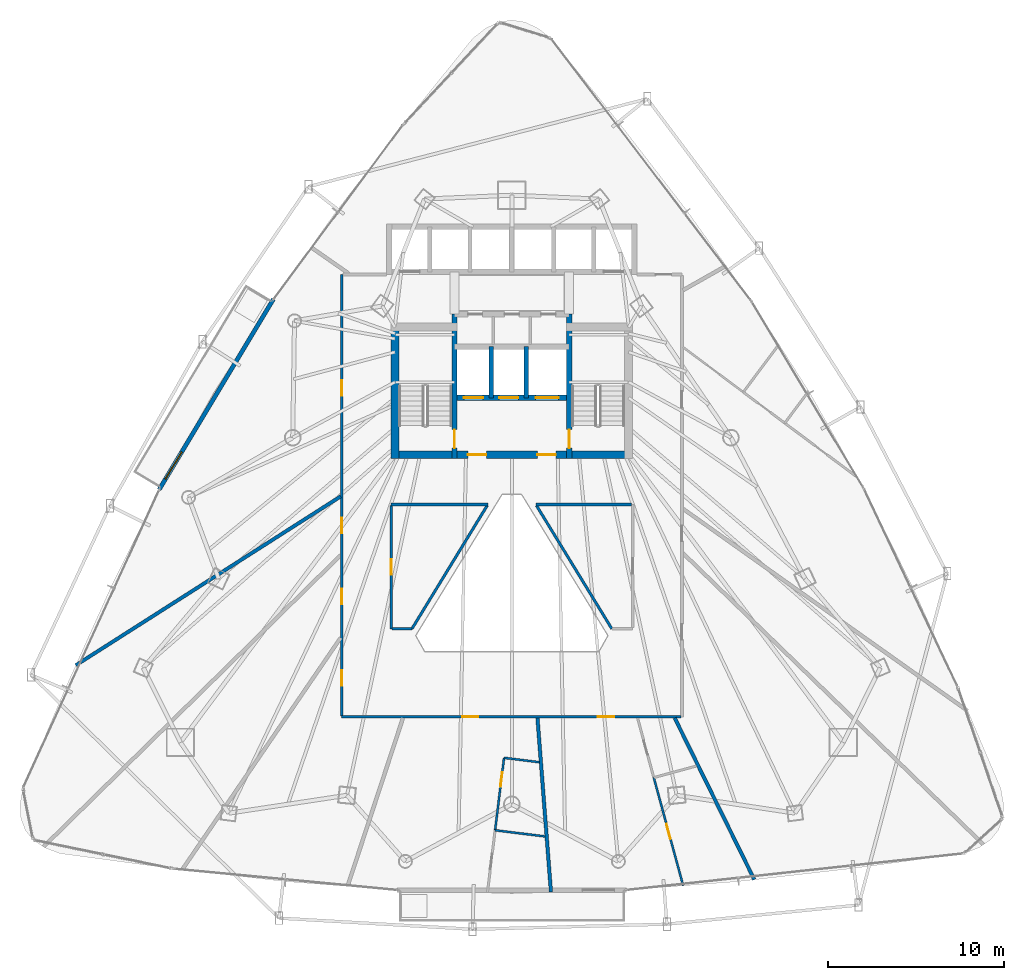
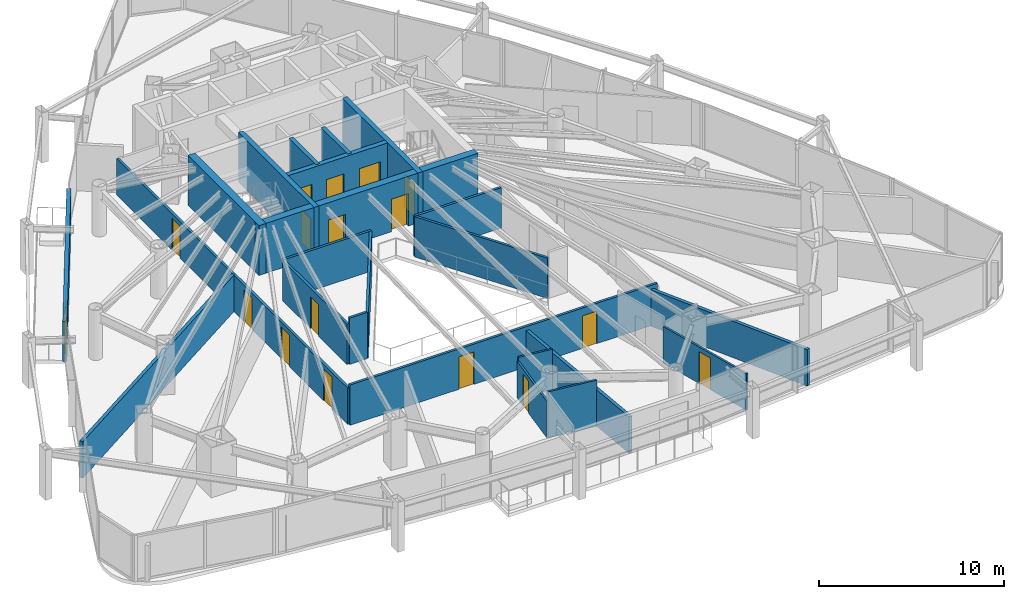
# One storey, part 29 of 34: 23 walls, 17 doors, 17 openings.
"""IFC4 building model written with IfcOpenShell, lengths in metres."""

from ifc_helpers import new_model, si_unit, direction, frame, frame_2d, origin, place, context, subcontext, project, spatial, rectangle, extrude, material, layer, layer_set, type_object, element, fill, save


model = new_model("IFC4")

# Units and contexts
model_context = context("Model", 3, precision=1e-05, world=origin(), true_north=direction((0.0, 1.0)))
body_context = subcontext(model_context, "Body", "Model", "MODEL_VIEW")
ifc_project = project(units=[si_unit("LENGTHUNIT", "METRE"), si_unit("AREAUNIT", "SQUARE_METRE"), si_unit("VOLUMEUNIT", "CUBIC_METRE"), si_unit("PLANEANGLEUNIT", "RADIAN"), si_unit("MASSUNIT", "GRAM", prefix="KILO")], contexts=[model_context])

# Site, building, storey
site_placement = place(None, origin())
site = spatial("IfcSite", under=ifc_project, at=site_placement, CompositionType="ELEMENT")
building_placement = place(site_placement, origin())
building = spatial("IfcBuilding", under=site, at=building_placement, Name="Orvanel Arch Residences", CompositionType="ELEMENT")
storey_placement = place(building_placement, frame((0.0, 0.0, 67.550048828125)))
storey = spatial("IfcBuildingStorey", under=building, at=storey_placement, Name="L18", CompositionType="ELEMENT", Elevation=67.550048828125)

# Wall, opening, door
ifc_material_1 = material(Name="Precast concrete N50 (50 MPa)", Category="concrete")
ifc_layer_1 = layer(ifc_material_1, 0.239990234375)
ifc_layer_set_1 = layer_set([ifc_layer_1], Name="Precast concrete N50 (50 MPa)")
wall_type_1 = type_object("IfcWallType", Name="EW-BAL-240", PredefinedType="SOLIDWALL", material=ifc_layer_set_1)
wall_1_placement = place(storey_placement, frame((19.472900390625, 35.5009765625, 0.0), z_axis=(0.0, 0.0, 1.0), x_axis=(-0.514333361126, -0.857590341382, 0.0)))
wall_1 = element("IfcWall", 1, at=wall_1_placement, inside=storey, type_object=wall_type_1, Name="L18 Balcony Threshold Wall Face 1", PredefinedType="SOLIDWALL", context=body_context, shape_type="SweptSolid", body=[
    extrude(rectangle(XDim=12.6025390625, YDim=0.239990234375, at=frame_2d((6.30126953125, 0.0))), origin(), (0.0, 0.0, 1.0), 2.6240234375),
])
opening_1_placement = place(wall_1_placement, frame((10.10498046875, 0.0, 0.0)))
opening_1 = element("IfcOpeningElement", 2, at=opening_1_placement, cuts=wall_1, Name="Opening DB-180", PredefinedType="OPENING", context=body_context, shape_type="SweptSolid", body=[
    extrude(rectangle(XDim=1.800048828125, YDim=2.199951171875, at=frame_2d((0.89990234375, 1.10009765625))), frame((0.0, 0.1298828125, 0.0), z_axis=(0.0, -1.0, 0.0), x_axis=(1.0, 0.0, 0.0)), (0.0, 0.0, 1.0), 0.260009765625),
])
ifc_material_2 = material(Name="Bronze-anodised aluminium AA6063-T6", Category="aluminium")
door_type_1 = type_object("IfcDoorType", Name="DR-BAL-1800", OperationType="NOTDEFINED", PredefinedType="DOOR", material=ifc_material_2)
door_1_placement = place(opening_1_placement, origin())
door_1 = element("IfcDoor", 3, at=door_1_placement, inside=storey, type_object=door_type_1, Name="DR-L18-BAL-F1 L18 Planted Balcony Access Door Face 1", OperationType="SINGLE_SWING_LEFT", OverallHeight=2.199951171875, OverallWidth=1.800048828125, PredefinedType="DOOR", context=body_context, shape_type="SweptSolid", body=[
    extrude(rectangle(XDim=1.800048828125, YDim=2.199951171875, at=frame_2d((0.89990234375, 1.10009765625))), frame((0.0, 0.02490234375, 0.0), z_axis=(0.0, -1.0, 0.0), x_axis=(1.0, 0.0, 0.0)), (0.0, 0.0, 1.0), 0.050048828125),
])
fill(opening_1, door_1)

# Walls
ifc_material_3 = material(Name="Concrete N50 (50 MPa)", Category="concrete")
ifc_layer_2 = layer(ifc_material_3, 0.25)
ifc_layer_set_2 = layer_set([ifc_layer_2], Name="Concrete N50 (50 MPa)")
wall_type_2 = type_object("IfcWallType", Name="SW-CORE-250", PredefinedType="SHEAR", material=ifc_layer_set_2)
for number, where, z_axis, x_axis, name in (
    (4, (31.824951171875, 29.89990234375, 0.0), (0.0, 0.0, 1.0), (0.0, 1.0, 0.0), "L18 Emergency Lift Inter-Shaft Wall F12"),
    (5, (33.824951171875, 29.89990234375, 0.0), (0.0, 0.0, 1.0), (0.0, 1.0, 0.0), "L18 Emergency Lift Inter-Shaft Wall F2G"),
):
    element("IfcWall", number, at=place(storey_placement, frame(where, z_axis=z_axis, x_axis=x_axis)), inside=storey, type_object=wall_type_2, Name=name, PredefinedType="SHEAR", context=body_context, shape_type="SweptSolid", body=[
        extrude(rectangle(XDim=2.900146484375, YDim=0.25, at=frame_2d((1.4501953125, 0.0))), origin(), (0.0, 0.0, 1.0), 3.300048828125),
    ])

# Wall, opening, door
ifc_material_4 = material(Name="Concrete S80 (80 MPa)", Category="concrete")
ifc_layer_3 = layer(ifc_material_4, 0.300048828125)
ifc_layer_set_3 = layer_set([ifc_layer_3], Name="Concrete S80 (80 MPa)")
wall_type_3 = type_object("IfcWallType", Name="SW-CORE-300", PredefinedType="SHEAR", material=ifc_layer_set_3)
wall_2_placement = place(storey_placement, frame((29.75, 26.449951171875, 0.0), z_axis=(0.0, 0.0, 1.0), x_axis=(0.0, 1.0, 0.0)))
wall_2 = element("IfcWall", 6, at=wall_2_placement, inside=storey, type_object=wall_type_3, Name="L18 West Inner Core Spine Shear Wall", PredefinedType="SHEAR", context=body_context, shape_type="SweptSolid", body=[
    extrude(rectangle(XDim=8.199951171875, YDim=0.300048828125, at=frame_2d((4.10009765625, 0.0))), origin(), (0.0, 0.0, 1.0), 3.300048828125),
])
opening_2_placement = place(wall_2_placement, frame((0.60009765625, 0.0, 0.0)))
opening_2 = element("IfcOpeningElement", 7, at=opening_2_placement, cuts=wall_2, Name="Opening DF-120", PredefinedType="OPENING", context=body_context, shape_type="SweptSolid", body=[
    extrude(rectangle(XDim=1.050048828125, YDim=2.14990234375, at=frame_2d((0.52490234375, 1.074951171875))), frame((0.0, 0.159912109375, 0.0), z_axis=(0.0, -1.0, 0.0), x_axis=(1.0, 0.0, 0.0)), (0.0, 0.0, 1.0), 0.320068359375),
])
ifc_material_5 = material(Name="Galvanised steel fire-resisting door assembly", Category="steel")
door_type_2 = type_object("IfcDoorType", Name="DR-FD120-1050", OperationType="NOTDEFINED", PredefinedType="DOOR", material=ifc_material_5)
door_2_placement = place(opening_2_placement, origin())
door_2 = element("IfcDoor", 8, at=door_2_placement, inside=storey, type_object=door_type_2, Name="DR-L18-ST1 L18 Stair 1 Fire Door", OperationType="SINGLE_SWING_LEFT", OverallHeight=2.14990234375, OverallWidth=1.050048828125, PredefinedType="DOOR", context=body_context, shape_type="SweptSolid", body=[
    extrude(rectangle(XDim=1.050048828125, YDim=2.14990234375, at=frame_2d((0.52490234375, 1.074951171875))), frame((0.0, 0.02490234375, 0.0), z_axis=(0.0, -1.0, 0.0), x_axis=(1.0, 0.0, 0.0)), (0.0, 0.0, 1.0), 0.050048828125),
])
fill(opening_2, door_2)

wall_3_placement = place(storey_placement, frame((36.25, 26.449951171875, 0.0), z_axis=(0.0, 0.0, 1.0), x_axis=(0.0, 1.0, 0.0)))
wall_3 = element("IfcWall", 9, at=wall_3_placement, inside=storey, type_object=wall_type_3, Name="L18 East Inner Core Spine Shear Wall", PredefinedType="SHEAR", context=body_context, shape_type="SweptSolid", body=[
    extrude(rectangle(XDim=8.199951171875, YDim=0.300048828125, at=frame_2d((4.10009765625, 0.0))), origin(), (0.0, 0.0, 1.0), 3.300048828125),
])
opening_3_placement = place(wall_3_placement, frame((0.60009765625, 0.0, 0.0)))
opening_3 = element("IfcOpeningElement", 10, at=opening_3_placement, cuts=wall_3, Name="Opening DF-120", PredefinedType="OPENING", context=body_context, shape_type="SweptSolid", body=[
    extrude(rectangle(XDim=1.050048828125, YDim=2.14990234375, at=frame_2d((0.52490234375, 1.074951171875))), frame((0.0, 0.159912109375, 0.0), z_axis=(0.0, -1.0, 0.0), x_axis=(1.0, 0.0, 0.0)), (0.0, 0.0, 1.0), 0.320068359375),
])
door_3_placement = place(opening_3_placement, origin())
door_3 = element("IfcDoor", 11, at=door_3_placement, inside=storey, type_object=door_type_2, Name="DR-L18-ST2 L18 Stair 2 Fire Door", OperationType="SINGLE_SWING_RIGHT", OverallHeight=2.14990234375, OverallWidth=1.050048828125, PredefinedType="DOOR", context=body_context, shape_type="SweptSolid", body=[
    extrude(rectangle(XDim=1.050048828125, YDim=2.14990234375, at=frame_2d((0.52490234375, 1.074951171875))), frame((0.0, 0.02490234375, 0.0), z_axis=(0.0, -1.0, 0.0), x_axis=(1.0, 0.0, 0.0)), (0.0, 0.0, 1.0), 0.050048828125),
])
fill(opening_3, door_3)

# Wall, openings, doors
wall_4_placement = place(storey_placement, frame((36.25, 29.89990234375, 0.0), z_axis=(0.0, 0.0, 1.0), x_axis=(-1.0, 0.0, 0.0)))
wall_4 = element("IfcWall", 12, at=wall_4_placement, inside=storey, type_object=wall_type_3, Name="L18 Emergency Lift Front Core Shear Wall", PredefinedType="SHEAR", context=body_context, shape_type="SweptSolid", body=[
    extrude(rectangle(XDim=6.5, YDim=0.300048828125, at=frame_2d((3.25, 0.0))), origin(), (0.0, 0.0, 1.0), 3.300048828125),
])
opening_4_placement = place(wall_4_placement, frame((4.875, 0.0, 0.0)))
opening_4 = element("IfcOpeningElement", 13, at=opening_4_placement, cuts=wall_4, Name="Opening LD-110", PredefinedType="OPENING", context=body_context, shape_type="SweptSolid", body=[
    extrude(rectangle(XDim=1.10009765625, YDim=2.199951171875, at=frame_2d((0.550048828125, 1.10009765625))), frame((0.0, 0.159912109375, 0.0), z_axis=(0.0, -1.0, 0.0), x_axis=(1.0, 0.0, 0.0)), (0.0, 0.0, 1.0), 0.320068359375),
])
opening_5_placement = place(wall_4_placement, frame((2.875, 0.0, 0.0)))
opening_5 = element("IfcOpeningElement", 14, at=opening_5_placement, cuts=wall_4, Name="Opening LD-110", PredefinedType="OPENING", context=body_context, shape_type="SweptSolid", body=[
    extrude(rectangle(XDim=1.10009765625, YDim=2.199951171875, at=frame_2d((0.550048828125, 1.10009765625))), frame((0.0, 0.159912109375, 0.0), z_axis=(0.0, -1.0, 0.0), x_axis=(1.0, 0.0, 0.0)), (0.0, 0.0, 1.0), 0.320068359375),
])
opening_6_placement = place(wall_4_placement, frame((0.60009765625, 0.0, 0.0)))
opening_6 = element("IfcOpeningElement", 15, at=opening_6_placement, cuts=wall_4, Name="Opening LD-130", PredefinedType="OPENING", context=body_context, shape_type="SweptSolid", body=[
    extrude(rectangle(XDim=1.300048828125, YDim=2.199951171875, at=frame_2d((0.64990234375, 1.10009765625))), frame((0.0, 0.159912109375, 0.0), z_axis=(0.0, -1.0, 0.0), x_axis=(1.0, 0.0, 0.0)), (0.0, 0.0, 1.0), 0.320068359375),
])
door_type_3 = type_object("IfcDoorType", Name="DR-LFT-1100", OperationType="NOTDEFINED", PredefinedType="DOOR", material=ifc_material_5)
door_4_placement = place(opening_4_placement, origin())
door_4 = element("IfcDoor", 16, at=door_4_placement, inside=storey, type_object=door_type_3, Name="LD-F1-L18 L18 Lift F1 Sliding Landing Door", OperationType="DOUBLE_DOOR_SLIDING", OverallHeight=2.199951171875, OverallWidth=1.10009765625, PredefinedType="DOOR", context=body_context, shape_type="SweptSolid", body=[
    extrude(rectangle(XDim=1.10009765625, YDim=2.199951171875, at=frame_2d((0.550048828125, 1.10009765625))), frame((0.0, 0.02490234375, 0.0), z_axis=(0.0, -1.0, 0.0), x_axis=(1.0, 0.0, 0.0)), (0.0, 0.0, 1.0), 0.050048828125),
])
fill(opening_4, door_4)
door_5_placement = place(opening_5_placement, origin())
door_5 = element("IfcDoor", 17, at=door_5_placement, inside=storey, type_object=door_type_3, Name="LD-F2-L18 L18 Lift F2 Sliding Landing Door", OperationType="DOUBLE_DOOR_SLIDING", OverallHeight=2.199951171875, OverallWidth=1.10009765625, PredefinedType="DOOR", context=body_context, shape_type="SweptSolid", body=[
    extrude(rectangle(XDim=1.10009765625, YDim=2.199951171875, at=frame_2d((0.550048828125, 1.10009765625))), frame((0.0, 0.02490234375, 0.0), z_axis=(0.0, -1.0, 0.0), x_axis=(1.0, 0.0, 0.0)), (0.0, 0.0, 1.0), 0.050048828125),
])
fill(opening_5, door_5)
door_type_4 = type_object("IfcDoorType", Name="DR-LFT-1300", OperationType="NOTDEFINED", PredefinedType="DOOR", material=ifc_material_5)
door_6_placement = place(opening_6_placement, origin())
door_6 = element("IfcDoor", 18, at=door_6_placement, inside=storey, type_object=door_type_4, Name="LD-G1-L18 L18 Lift G1 Sliding Landing Door", OperationType="DOUBLE_DOOR_SLIDING", OverallHeight=2.199951171875, OverallWidth=1.300048828125, PredefinedType="DOOR", context=body_context, shape_type="SweptSolid", body=[
    extrude(rectangle(XDim=1.300048828125, YDim=2.199951171875, at=frame_2d((0.64990234375, 1.10009765625))), frame((0.0, 0.02490234375, 0.0), z_axis=(0.0, -1.0, 0.0), x_axis=(1.0, 0.0, 0.0)), (0.0, 0.0, 1.0), 0.050048828125),
])
fill(opening_6, door_6)

ifc_layer_4 = layer(ifc_material_4, 0.449951171875)
ifc_layer_set_4 = layer_set([ifc_layer_4], Name="Concrete S80 (80 MPa)")
wall_type_4 = type_object("IfcWallType", Name="SW-CORE-450", PredefinedType="SHEAR", material=ifc_layer_set_4)
wall_5_placement = place(storey_placement, frame((26.14990234375, 26.675048828125, 0.0), z_axis=(0.0, 0.0, 1.0), x_axis=(1.0, 0.0, 0.0)))
wall_5 = element("IfcWall", 19, at=wall_5_placement, inside=storey, type_object=wall_type_4, Name="L18 South Core Shear Wall", PredefinedType="SHEAR", context=body_context, shape_type="SweptSolid", body=[
    extrude(rectangle(XDim=13.7001953125, YDim=0.449951171875, at=frame_2d((6.85009765625, 0.0))), origin(), (0.0, 0.0, 1.0), 3.300048828125),
])
opening_7_placement = place(wall_5_placement, frame((4.35009765625, 0.0, 0.0)))
opening_7 = element("IfcOpeningElement", 20, at=opening_7_placement, cuts=wall_5, Name="Opening DF-060", PredefinedType="OPENING", context=body_context, shape_type="SweptSolid", body=[
    extrude(rectangle(XDim=1.050048828125, YDim=2.14990234375, at=frame_2d((0.52490234375, 1.074951171875))), frame((0.0, 0.23486328125, 0.0), z_axis=(0.0, -1.0, 0.0), x_axis=(1.0, 0.0, 0.0)), (0.0, 0.0, 1.0), 0.469970703125),
])
opening_8_placement = place(wall_5_placement, frame((8.300048828125, 0.0, 0.0)))
opening_8 = element("IfcOpeningElement", 21, at=opening_8_placement, cuts=wall_5, Name="Opening DF-060", PredefinedType="OPENING", context=body_context, shape_type="SweptSolid", body=[
    extrude(rectangle(XDim=1.050048828125, YDim=2.14990234375, at=frame_2d((0.52490234375, 1.074951171875))), frame((0.0, 0.23486328125, 0.0), z_axis=(0.0, -1.0, 0.0), x_axis=(1.0, 0.0, 0.0)), (0.0, 0.0, 1.0), 0.469970703125),
])
door_type_5 = type_object("IfcDoorType", Name="DR-FD60-1050", OperationType="NOTDEFINED", PredefinedType="DOOR", material=ifc_material_5)
door_7_placement = place(opening_7_placement, origin())
door_7 = element("IfcDoor", 22, at=door_7_placement, inside=storey, type_object=door_type_5, Name="DR-L18-FFL-W L18 West Smoke Lobby Door", OperationType="SINGLE_SWING_LEFT", OverallHeight=2.14990234375, OverallWidth=1.050048828125, PredefinedType="DOOR", context=body_context, shape_type="SweptSolid", body=[
    extrude(rectangle(XDim=1.050048828125, YDim=2.14990234375, at=frame_2d((0.52490234375, 1.074951171875))), frame((0.0, 0.02490234375, 0.0), z_axis=(0.0, -1.0, 0.0), x_axis=(1.0, 0.0, 0.0)), (0.0, 0.0, 1.0), 0.050048828125),
])
fill(opening_7, door_7)
door_8_placement = place(opening_8_placement, origin())
door_8 = element("IfcDoor", 23, at=door_8_placement, inside=storey, type_object=door_type_5, Name="DR-L18-FFL-E L18 East Smoke Lobby Door", OperationType="SINGLE_SWING_RIGHT", OverallHeight=2.14990234375, OverallWidth=1.050048828125, PredefinedType="DOOR", context=body_context, shape_type="SweptSolid", body=[
    extrude(rectangle(XDim=1.050048828125, YDim=2.14990234375, at=frame_2d((0.52490234375, 1.074951171875))), frame((0.0, 0.02490234375, 0.0), z_axis=(0.0, -1.0, 0.0), x_axis=(1.0, 0.0, 0.0)), (0.0, 0.0, 1.0), 0.050048828125),
])
fill(opening_8, door_8)

# Wall
wall_6_placement = place(storey_placement, frame((26.375, 26.449951171875, 0.0), z_axis=(0.0, 0.0, 1.0), x_axis=(0.0, 1.0, 0.0)))
element("IfcWall", 24, at=wall_6_placement, inside=storey, type_object=wall_type_4, Name="L18 West Stair Shear Wall", PredefinedType="SHEAR", context=body_context, shape_type="SweptSolid", body=[
    extrude(rectangle(XDim=7.699951171875, YDim=0.449951171875, at=frame_2d((3.85009765625, 0.0))), origin(), (0.0, 0.0, 1.0), 3.300048828125),
])

# Wall, openings, doors
ifc_material_6 = material(Name="Fire-rated plasterboard lined steel stud partition", Category="steel")
ifc_layer_5 = layer(ifc_material_6, 0.14990234375)
ifc_layer_set_5 = layer_set([ifc_layer_5], Name="Fire-rated plasterboard lined steel stud partition")
wall_type_5 = type_object("IfcWallType", Name="W-COR-150", PredefinedType="PARTITIONING", material=ifc_layer_set_5)
wall_7_placement = place(storey_placement, frame((42.590087890625, 11.800048828125, 0.0), z_axis=(0.0, 0.0, 1.0), x_axis=(-1.0, 0.0, 0.0)))
wall_7 = element("IfcWall", 25, at=wall_7_placement, inside=storey, type_object=wall_type_5, Name="L18 Corridor Fire-Rated Partition", PredefinedType="PARTITIONING", context=body_context, shape_type="SweptSolid", body=[
    extrude(rectangle(XDim=19.239990234375, YDim=0.14990234375, at=frame_2d((9.6201171875, 0.0))), origin(), (0.0, 0.0, 1.0), 2.6689453125),
])
opening_9_placement = place(wall_7_placement, frame((11.489013671875, 0.0, 0.0)))
opening_9 = element("IfcOpeningElement", 26, at=opening_9_placement, cuts=wall_7, Name="Opening DA-092", PredefinedType="OPENING", context=body_context, shape_type="SweptSolid", body=[
    extrude(rectangle(XDim=0.919921875, YDim=2.14990234375, at=frame_2d((0.4599609375, 1.074951171875))), frame((0.0, 0.0849609375, 0.0), z_axis=(0.0, -1.0, 0.0), x_axis=(1.0, 0.0, 0.0)), (0.0, 0.0, 1.0), 0.169921875),
])
opening_10_placement = place(wall_7_placement, frame((3.787109375, 0.0, 0.0)))
opening_10 = element("IfcOpeningElement", 27, at=opening_10_placement, cuts=wall_7, Name="Opening DA-092", PredefinedType="OPENING", context=body_context, shape_type="SweptSolid", body=[
    extrude(rectangle(XDim=0.919921875, YDim=2.14990234375, at=frame_2d((0.4599609375, 1.074951171875))), frame((0.0, 0.0849609375, 0.0), z_axis=(0.0, -1.0, 0.0), x_axis=(1.0, 0.0, 0.0)), (0.0, 0.0, 1.0), 0.169921875),
])
ifc_material_7 = material(Name="Solid-core European oak veneer fire door leaf", Category="wood")
door_type_6 = type_object("IfcDoorType", Name="DR-APT-920", OperationType="NOTDEFINED", PredefinedType="DOOR", material=ifc_material_7)
door_9_placement = place(opening_9_placement, origin())
door_9 = element("IfcDoor", 28, at=door_9_placement, inside=storey, type_object=door_type_6, Name="DR-L18-G-ENT L18 Studio G Entrance Door", OperationType="SINGLE_SWING_RIGHT", OverallHeight=2.14990234375, OverallWidth=0.919921875, PredefinedType="DOOR", context=body_context, shape_type="SweptSolid", body=[
    extrude(rectangle(XDim=0.919921875, YDim=2.14990234375, at=frame_2d((0.4599609375, 1.074951171875))), frame((0.0, 0.02490234375, 0.0), z_axis=(0.0, -1.0, 0.0), x_axis=(1.0, 0.0, 0.0)), (0.0, 0.0, 1.0), 0.050048828125),
])
fill(opening_9, door_9)
door_10_placement = place(opening_10_placement, origin())
door_10 = element("IfcDoor", 29, at=door_10_placement, inside=storey, type_object=door_type_6, Name="DR-L18-H-ENT L18 Studio H Entrance Door", OperationType="SINGLE_SWING_LEFT", OverallHeight=2.14990234375, OverallWidth=0.919921875, PredefinedType="DOOR", context=body_context, shape_type="SweptSolid", body=[
    extrude(rectangle(XDim=0.919921875, YDim=2.14990234375, at=frame_2d((0.4599609375, 1.074951171875))), frame((0.0, 0.02490234375, 0.0), z_axis=(0.0, -1.0, 0.0), x_axis=(1.0, 0.0, 0.0)), (0.0, 0.0, 1.0), 0.050048828125),
])
fill(opening_10, door_10)

wall_8_placement = place(storey_placement, frame((23.35009765625, 11.860107421875, 0.0), z_axis=(0.0, 0.0, 1.0), x_axis=(0.0, 1.0, 0.0)))
wall_8 = element("IfcWall", 30, at=wall_8_placement, inside=storey, type_object=wall_type_5, Name="L18 Corridor Fire-Rated Partition", PredefinedType="PARTITIONING", context=body_context, shape_type="SweptSolid", body=[
    extrude(rectangle(XDim=25.039794921875, YDim=0.14990234375, at=frame_2d((12.52001953125, 0.0))), origin(), (0.0, 0.0, 1.0), 2.412841796875),
])
opening_11_placement = place(wall_8_placement, frame((18.154052734375, 0.0, 0.0)))
opening_11 = element("IfcOpeningElement", 31, at=opening_11_placement, cuts=wall_8, Name="Opening DI-088", PredefinedType="OPENING", context=body_context, shape_type="SweptSolid", body=[
    extrude(rectangle(XDim=0.8798828125, YDim=2.10009765625, at=frame_2d((0.43994140625, 1.050048828125))), frame((0.0, 0.0849609375, 0.0), z_axis=(0.0, -1.0, 0.0), x_axis=(1.0, 0.0, 0.0)), (0.0, 0.0, 1.0), 0.169921875),
])
opening_12_placement = place(wall_8_placement, frame((10.345947265625, 0.0, 0.0)))
opening_12 = element("IfcOpeningElement", 32, at=opening_12_placement, cuts=wall_8, Name="Opening DI-088", PredefinedType="OPENING", context=body_context, shape_type="SweptSolid", body=[
    extrude(rectangle(XDim=0.8798828125, YDim=2.10009765625, at=frame_2d((0.43994140625, 1.050048828125))), frame((0.0, 0.0849609375, 0.0), z_axis=(0.0, -1.0, 0.0), x_axis=(1.0, 0.0, 0.0)), (0.0, 0.0, 1.0), 0.169921875),
])
opening_13_placement = place(wall_8_placement, frame((6.320068359375, 0.0, 0.0)))
opening_13 = element("IfcOpeningElement", 33, at=opening_13_placement, cuts=wall_8, Name="Opening DI-088", PredefinedType="OPENING", context=body_context, shape_type="SweptSolid", body=[
    extrude(rectangle(XDim=0.8798828125, YDim=2.10009765625, at=frame_2d((0.43994140625, 1.050048828125))), frame((0.0, 0.0849609375, 0.0), z_axis=(0.0, -1.0, 0.0), x_axis=(1.0, 0.0, 0.0)), (0.0, 0.0, 1.0), 0.169921875),
])
opening_14_placement = place(wall_8_placement, frame((1.718994140625, 0.0, 0.0)))
opening_14 = element("IfcOpeningElement", 34, at=opening_14_placement, cuts=wall_8, Name="Opening DI-088", PredefinedType="OPENING", context=body_context, shape_type="SweptSolid", body=[
    extrude(rectangle(XDim=0.8798828125, YDim=2.10009765625, at=frame_2d((0.43994140625, 1.050048828125))), frame((0.0, 0.0849609375, 0.0), z_axis=(0.0, -1.0, 0.0), x_axis=(1.0, 0.0, 0.0)), (0.0, 0.0, 1.0), 0.169921875),
])
door_type_7 = type_object("IfcDoorType", Name="DR-INT-880", OperationType="NOTDEFINED", PredefinedType="DOOR", material=ifc_material_7)
door_11_placement = place(opening_11_placement, origin())
door_11 = element("IfcDoor", 35, at=door_11_placement, inside=storey, type_object=door_type_7, Name="DR-L18-SHRD-FB4 L18 Co-Working Study Office D Door", OperationType="SINGLE_SWING_LEFT", OverallHeight=2.10009765625, OverallWidth=0.8798828125, PredefinedType="DOOR", context=body_context, shape_type="SweptSolid", body=[
    extrude(rectangle(XDim=0.8798828125, YDim=2.10009765625, at=frame_2d((0.43994140625, 1.050048828125))), frame((0.0, 0.02490234375, 0.0), z_axis=(0.0, -1.0, 0.0), x_axis=(1.0, 0.0, 0.0)), (0.0, 0.0, 1.0), 0.050048828125),
])
fill(opening_11, door_11)
door_12_placement = place(opening_12_placement, origin())
door_12 = element("IfcDoor", 36, at=door_12_placement, inside=storey, type_object=door_type_7, Name="DR-L18-SHRD-FB5 L18 Co-Working Study Office E Door", OperationType="SINGLE_SWING_LEFT", OverallHeight=2.10009765625, OverallWidth=0.8798828125, PredefinedType="DOOR", context=body_context, shape_type="SweptSolid", body=[
    extrude(rectangle(XDim=0.8798828125, YDim=2.10009765625, at=frame_2d((0.43994140625, 1.050048828125))), frame((0.0, 0.02490234375, 0.0), z_axis=(0.0, -1.0, 0.0), x_axis=(1.0, 0.0, 0.0)), (0.0, 0.0, 1.0), 0.050048828125),
])
fill(opening_12, door_12)
door_13_placement = place(opening_13_placement, origin())
door_13 = element("IfcDoor", 37, at=door_13_placement, inside=storey, type_object=door_type_7, Name="DR-L18-SHRD-FB6 L18 Co-Working Study Office F Door", OperationType="SINGLE_SWING_LEFT", OverallHeight=2.10009765625, OverallWidth=0.8798828125, PredefinedType="DOOR", context=body_context, shape_type="SweptSolid", body=[
    extrude(rectangle(XDim=0.8798828125, YDim=2.10009765625, at=frame_2d((0.43994140625, 1.050048828125))), frame((0.0, 0.02490234375, 0.0), z_axis=(0.0, -1.0, 0.0), x_axis=(1.0, 0.0, 0.0)), (0.0, 0.0, 1.0), 0.050048828125),
])
fill(opening_13, door_13)
door_14_placement = place(opening_14_placement, origin())
door_14 = element("IfcDoor", 38, at=door_14_placement, inside=storey, type_object=door_type_7, Name="DR-L18-SHRD-FB10 L18 Co-Working Study Office J Door", OperationType="SINGLE_SWING_LEFT", OverallHeight=2.10009765625, OverallWidth=0.8798828125, PredefinedType="DOOR", context=body_context, shape_type="SweptSolid", body=[
    extrude(rectangle(XDim=0.8798828125, YDim=2.10009765625, at=frame_2d((0.43994140625, 1.050048828125))), frame((0.0, 0.02490234375, 0.0), z_axis=(0.0, -1.0, 0.0), x_axis=(1.0, 0.0, 0.0)), (0.0, 0.0, 1.0), 0.050048828125),
])
fill(opening_14, door_14)

# Wall
wall_9_placement = place(storey_placement, frame((31.636962890625, 23.85009765625, 0.0), z_axis=(0.0, 0.0, 1.0), x_axis=(-1.0, 0.0, 0.0)))
element("IfcWall", 39, at=wall_9_placement, inside=storey, type_object=wall_type_5, Name="L18 Corridor Fire-Rated Partition", PredefinedType="PARTITIONING", context=body_context, shape_type="SweptSolid", body=[
    extrude(rectangle(XDim=5.487060546875, YDim=0.14990234375, at=frame_2d((2.74365234375, 0.0))), origin(), (0.0, 0.0, 1.0), 2.6689453125),
])

# Wall, opening, door
wall_10_placement = place(storey_placement, frame((26.14990234375, 23.7900390625, 0.0), z_axis=(0.0, 0.0, 1.0), x_axis=(0.0, -1.0, 0.0)))
wall_10 = element("IfcWall", 40, at=wall_10_placement, inside=storey, type_object=wall_type_5, Name="L18 Corridor Fire-Rated Partition", PredefinedType="PARTITIONING", context=body_context, shape_type="SweptSolid", body=[
    extrude(rectangle(XDim=6.989990234375, YDim=0.14990234375, at=frame_2d((3.4951171875, 0.0))), origin(), (0.0, 0.0, 1.0), 2.6689453125),
])
opening_15_placement = place(wall_10_placement, frame((3.054931640625, 0.0, 0.0)))
opening_15 = element("IfcOpeningElement", 41, at=opening_15_placement, cuts=wall_10, Name="Opening DI-088", PredefinedType="OPENING", context=body_context, shape_type="SweptSolid", body=[
    extrude(rectangle(XDim=0.8798828125, YDim=2.10009765625, at=frame_2d((0.43994140625, 1.050048828125))), frame((0.0, 0.0849609375, 0.0), z_axis=(0.0, -1.0, 0.0), x_axis=(1.0, 0.0, 0.0)), (0.0, 0.0, 1.0), 0.169921875),
])
door_15_placement = place(opening_15_placement, origin())
door_15 = element("IfcDoor", 42, at=door_15_placement, inside=storey, type_object=door_type_7, Name="DR-L18-SHRD-FB12 L18 Co-Working Study Office L Door", OperationType="SINGLE_SWING_LEFT", OverallHeight=2.10009765625, OverallWidth=0.8798828125, PredefinedType="DOOR", context=body_context, shape_type="SweptSolid", body=[
    extrude(rectangle(XDim=0.8798828125, YDim=2.10009765625, at=frame_2d((0.43994140625, 1.050048828125))), frame((0.0, 0.02490234375, 0.0), z_axis=(0.0, -1.0, 0.0), x_axis=(1.0, 0.0, 0.0)), (0.0, 0.0, 1.0), 0.050048828125),
])
fill(opening_15, door_15)

# Walls
wall_11_placement = place(storey_placement, frame((26.2099609375, 16.800048828125, 0.0), z_axis=(0.0, 0.0, 1.0), x_axis=(1.0, 0.0, 0.0)))
element("IfcWall", 43, at=wall_11_placement, inside=storey, type_object=wall_type_5, Name="L18 Corridor Fire-Rated Partition", PredefinedType="PARTITIONING", context=body_context, shape_type="SweptSolid", body=[
    extrude(rectangle(XDim=1.116943359375, YDim=0.14990234375, at=frame_2d((0.55859375, 0.0))), origin(), (0.0, 0.0, 1.0), 3.06005859375),
])
wall_12_placement = place(storey_placement, frame((39.7900390625, 23.85009765625, 0.0), z_axis=(0.0, 0.0, 1.0), x_axis=(-1.0, 0.0, 0.0)))
element("IfcWall", 44, at=wall_12_placement, inside=storey, type_object=wall_type_5, Name="L18 Corridor Fire-Rated Partition", PredefinedType="PARTITIONING", context=body_context, shape_type="SweptSolid", body=[
    extrude(rectangle(XDim=5.427001953125, YDim=0.14990234375, at=frame_2d((2.71337890625, 0.0))), origin(), (0.0, 0.0, 1.0), 2.6689453125),
])
wall_13_placement = place(storey_placement, frame((27.326904296875, 16.7900390625, 0.0), z_axis=(0.0, 0.0, 1.0), x_axis=(0.521129693902, 0.853477499489, 0.0)))
element("IfcWall", 45, at=wall_13_placement, inside=storey, type_object=wall_type_5, Name="L18 Atrium Overlook Glazed Partition", PredefinedType="PARTITIONING", context=body_context, shape_type="SweptSolid", body=[
    extrude(rectangle(XDim=8.20166015625, YDim=0.14990234375, at=frame_2d((4.100830078125, 0.0))), origin(), (0.0, 0.0, 1.0), 2.6689453125),
])
wall_14_placement = place(storey_placement, frame((34.39892578125, 23.7900390625, 0.0), z_axis=(0.0, 0.0, 1.0), x_axis=(0.521619930676, -0.853177969665, 0.0)))
element("IfcWall", 46, at=wall_14_placement, inside=storey, type_object=wall_type_5, Name="L18 Atrium Overlook Glazed Partition", PredefinedType="PARTITIONING", context=body_context, shape_type="SweptSolid", body=[
    extrude(rectangle(XDim=8.194091796875, YDim=0.14990234375, at=frame_2d((4.09716796875, 0.0))), origin(), (0.0, 0.0, 1.0), 2.6689453125),
])
ifc_layer_6 = layer(ifc_material_6, 0.199951171875)
ifc_layer_set_6 = layer_set([ifc_layer_6], Name="Fire-rated plasterboard lined steel stud partition")
wall_type_6 = type_object("IfcWallType", Name="W-DEM-200", PredefinedType="PARTITIONING", material=ifc_layer_set_6)
wall_15_placement = place(storey_placement, frame((46.75390625, 2.575927734375, 0.0), z_axis=(0.0, 0.0, 1.0), x_axis=(-0.441871352221, 0.897078429172, 0.0)))
element("IfcWall", 47, at=wall_15_placement, inside=storey, type_object=wall_type_6, Name="L18 Inter-Tenancy Acoustic Demising Wall", PredefinedType="PARTITIONING", context=body_context, shape_type="SweptSolid", body=[
    extrude(rectangle(XDim=10.21533203125, YDim=0.199951171875, at=frame_2d((5.107666015625, 0.0))), origin(), (0.0, 0.0, 1.0), 2.412841796875),
])
wall_16_placement = place(storey_placement, frame((23.2900390625, 24.31005859375, 0.0), z_axis=(0.0, 0.0, 1.0), x_axis=(-0.843217726059, -0.537572196509, 0.0)))
element("IfcWall", 48, at=wall_16_placement, inside=storey, type_object=wall_type_6, Name="L18 Inter-Tenancy Acoustic Demising Wall", PredefinedType="PARTITIONING", context=body_context, shape_type="SweptSolid", body=[
    extrude(rectangle(XDim=17.8173828125, YDim=0.199951171875, at=frame_2d((8.90869140625, 0.0))), origin(), (0.0, 0.0, 1.0), 2.412841796875),
])
wall_17_placement = place(storey_placement, frame((34.4541015625, 11.739990234375, 0.0), z_axis=(0.0, 0.0, 1.0), x_axis=(0.077354581403, -0.997003645297, 0.0)))
element("IfcWall", 49, at=wall_17_placement, inside=storey, type_object=wall_type_6, Name="L18 Inter-Tenancy Acoustic Demising Wall", PredefinedType="PARTITIONING", context=body_context, shape_type="SweptSolid", body=[
    extrude(rectangle(XDim=9.90087890625, YDim=0.199951171875, at=frame_2d((4.950439453125, 0.0))), origin(), (0.0, 0.0, 1.0), 2.412841796875),
])
ifc_material_8 = material(Name="Acoustic plasterboard lined twin-stud partition", Category="gypsum")
ifc_layer_7 = layer(ifc_material_8, 0.1201171875)
ifc_layer_set_7 = layer_set([ifc_layer_7], Name="Acoustic plasterboard lined twin-stud partition")
wall_type_7 = type_object("IfcWallType", Name="W-WET-120", PredefinedType="PARTITIONING", material=ifc_layer_set_7)
wall_18_placement = place(storey_placement, frame((34.56298828125, 9.23095703125, 0.0), z_axis=(0.0, 0.0, 1.0), x_axis=(-0.992492062854, 0.122309055968, 0.0)))
element("IfcWall", 50, at=wall_18_placement, inside=storey, type_object=wall_type_7, Name="L18 Studio G Bathroom Partition", PredefinedType="PARTITIONING", context=body_context, shape_type="SweptSolid", body=[
    extrude(rectangle(XDim=2.02001953125, YDim=0.1201171875, at=frame_2d((1.010009765625, 0.0))), origin(), (0.0, 0.0, 1.0), 2.6689453125),
])

# Wall, opening, door
wall_19_placement = place(storey_placement, frame((32.55810546875, 9.47802734375, 0.0), z_axis=(0.0, 0.0, 1.0), x_axis=(-0.122474226657, -0.992471694208, 0.0)))
wall_19 = element("IfcWall", 51, at=wall_19_placement, inside=storey, type_object=wall_type_7, Name="L18 Studio G Bathroom Partition", PredefinedType="PARTITIONING", context=body_context, shape_type="SweptSolid", body=[
    extrude(rectangle(XDim=4.140380859375, YDim=0.1201171875, at=frame_2d((2.0703125, 0.0))), origin(), (0.0, 0.0, 1.0), 2.412841796875),
])
opening_16_placement = place(wall_19_placement, frame((0.81591796875, 0.0, 0.0)))
opening_16 = element("IfcOpeningElement", 52, at=opening_16_placement, cuts=wall_19, Name="Opening DW-082", PredefinedType="OPENING", context=body_context, shape_type="SweptSolid", body=[
    extrude(rectangle(XDim=0.820068359375, YDim=2.10009765625, at=frame_2d((0.41015625, 1.050048828125))), frame((0.0, 0.070068359375, 0.0), z_axis=(0.0, -1.0, 0.0), x_axis=(1.0, 0.0, 0.0)), (0.0, 0.0, 1.0), 0.14013671875),
])
door_type_8 = type_object("IfcDoorType", Name="DR-WET-820", OperationType="NOTDEFINED", PredefinedType="DOOR", material=ifc_material_7)
door_16_placement = place(opening_16_placement, origin())
door_16 = element("IfcDoor", 53, at=door_16_placement, inside=storey, type_object=door_type_8, Name="DR-L18-G-BATH L18 Studio G Bathroom Door", OperationType="SINGLE_SWING_RIGHT", OverallHeight=2.10009765625, OverallWidth=0.820068359375, PredefinedType="DOOR", context=body_context, shape_type="SweptSolid", body=[
    extrude(rectangle(XDim=0.820068359375, YDim=2.10009765625, at=frame_2d((0.41015625, 1.050048828125))), frame((0.0, 0.02490234375, 0.0), z_axis=(0.0, -1.0, 0.0), x_axis=(1.0, 0.0, 0.0)), (0.0, 0.0, 1.0), 0.050048828125),
])
fill(opening_16, door_16)

# Wall
wall_20_placement = place(storey_placement, frame((34.889892578125, 5.01904296875, 0.0), z_axis=(0.0, 0.0, 1.0), x_axis=(-0.992491734807, 0.12231171792, 0.0)))
element("IfcWall", 54, at=wall_20_placement, inside=storey, type_object=wall_type_7, Name="L18 Studio G Bathroom Partition", PredefinedType="PARTITIONING", context=body_context, shape_type="SweptSolid", body=[
    extrude(rectangle(XDim=2.8603515625, YDim=0.1201171875, at=frame_2d((1.43017578125, 0.0))), origin(), (0.0, 0.0, 1.0), 3.06005859375),
])

# Wall, opening, door
wall_21_placement = place(storey_placement, frame((41.052978515625, 8.35791015625, 0.0), z_axis=(0.0, 0.0, 1.0), x_axis=(0.262466446164, -0.964941119778, 0.0)))
wall_21 = element("IfcWall", 55, at=wall_21_placement, inside=storey, type_object=wall_type_7, Name="L18 Studio H Internal Partition", PredefinedType="PARTITIONING", context=body_context, shape_type="SweptSolid", body=[
    extrude(rectangle(XDim=6.34765625, YDim=0.1201171875, at=frame_2d((3.173828125, 0.0))), origin(), (0.0, 0.0, 1.0), 2.412841796875),
])
opening_17_placement = place(wall_21_placement, frame((2.73388671875, 0.0, 0.0)))
opening_17 = element("IfcOpeningElement", 56, at=opening_17_placement, cuts=wall_21, Name="Opening DI-088", PredefinedType="OPENING", context=body_context, shape_type="SweptSolid", body=[
    extrude(rectangle(XDim=0.8798828125, YDim=2.10009765625, at=frame_2d((0.43994140625, 1.050048828125))), frame((0.0, 0.070068359375, 0.0), z_axis=(0.0, -1.0, 0.0), x_axis=(1.0, 0.0, 0.0)), (0.0, 0.0, 1.0), 0.14013671875),
])
door_17_placement = place(opening_17_placement, origin())
door_17 = element("IfcDoor", 57, at=door_17_placement, inside=storey, type_object=door_type_7, Name="DR-L18-H-KIT L18 Studio H Kitchenette Door", OperationType="SINGLE_SWING_LEFT", OverallHeight=2.10009765625, OverallWidth=0.8798828125, PredefinedType="DOOR", context=body_context, shape_type="SweptSolid", body=[
    extrude(rectangle(XDim=0.8798828125, YDim=2.10009765625, at=frame_2d((0.43994140625, 1.050048828125))), frame((0.0, 0.02490234375, 0.0), z_axis=(0.0, -1.0, 0.0), x_axis=(1.0, 0.0, 0.0)), (0.0, 0.0, 1.0), 0.050048828125),
])
fill(opening_17, door_17)

save(model, "model.ifc")
